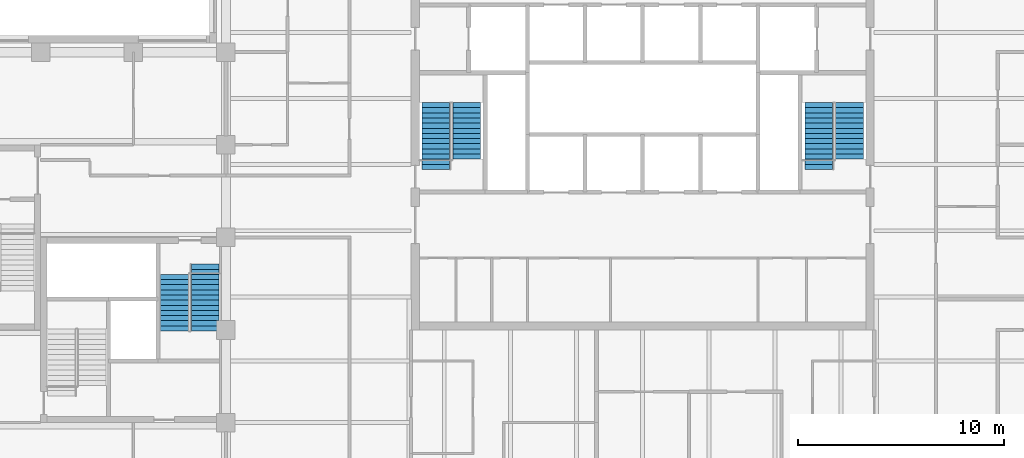
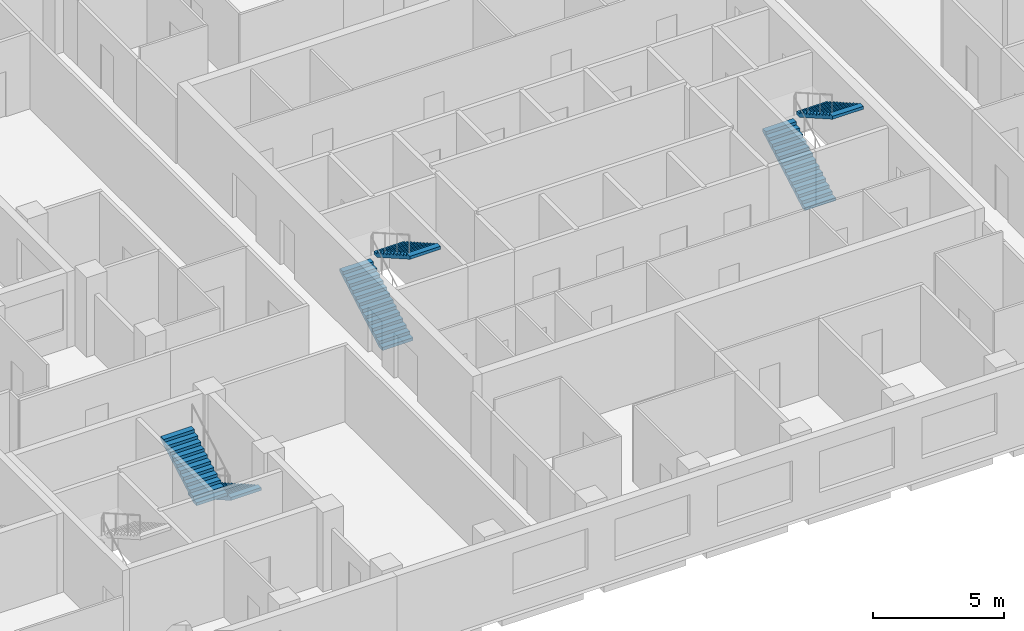
# One storey, part 9 of 10: 6 stair flights, 3 elements without a shape of their own.
"""IFC4 building model written with IfcOpenShell, lengths in metres."""

from ifc_helpers import new_model, si_unit, direction, frame, origin, place, context, subcontext, project, spatial, polyline, outline, extrude, material, type_object, element, aggregate, save


model = new_model("IFC4")

# Units and contexts
model_context = context("Model", 3, precision=1e-05, world=origin(), true_north=direction((0.0, 1.0)))
body_context = subcontext(model_context, "Body", "Model", "MODEL_VIEW")
ifc_project = project(units=[si_unit("LENGTHUNIT", "METRE"), si_unit("AREAUNIT", "SQUARE_METRE"), si_unit("VOLUMEUNIT", "CUBIC_METRE"), si_unit("PLANEANGLEUNIT", "RADIAN"), si_unit("MASSUNIT", "GRAM", prefix="KILO")], contexts=[model_context])

# Site, building, storey
site_placement = place(None, origin())
site = spatial("IfcSite", under=ifc_project, at=site_placement, CompositionType="ELEMENT")
building_placement = place(site_placement, origin())
building = spatial("IfcBuilding", under=site, at=building_placement, Name="Quoin Convention Tower", CompositionType="ELEMENT")
storey_placement = place(building_placement, frame((0.0, 0.0, 192.10009765625)))
storey = spatial("IfcBuildingStorey", under=building, at=storey_placement, Name="L50", CompositionType="ELEMENT", Elevation=192.10009765625)

# Stair, stair flights
ifc_material = material(Name="Concrete C40", Category="concrete")
stair_type = type_object("IfcStairType", Name="Exit stair two-flight 1350", PredefinedType="HALF_TURN_STAIR", material=ifc_material)
stair_1_placement = place(storey_placement, origin())
stair_1 = element("IfcStair", 1, at=stair_1_placement, inside=storey, type_object=stair_type, Name="SD1 L50", PredefinedType="HALF_TURN_STAIR")
stair_flight_type = type_object("IfcStairFlightType", Name="Stair flight 1350", PredefinedType="STRAIGHT", material=ifc_material)
stair_flight_1_placement = place(storey_placement, frame((46.199951171875, 57.300048828125, 0.0), z_axis=(0.0, 0.0, 1.0), x_axis=(0.0, 1.0, 0.0)))
stair_flight_1 = element("IfcStairFlight", 2, at=stair_flight_1_placement, type_object=stair_flight_type, Name="ST1 flight 1", NumberOfRisers=14, NumberOfTreads=13, PredefinedType="STRAIGHT", RiserHeight=0.142307692, TreadLength=0.25, context=body_context, shape_type="SweptSolid", body=[
    extrude(outline(polyline([(0.0, 0.0), (0.0, 0.142333984375), (0.25, 0.142333984375), (0.25, 0.28466796875), (0.5, 0.28466796875), (0.5, 0.427001953125), (0.75, 0.427001953125), (0.75, 0.5693359375), (1.0, 0.5693359375), (1.0, 0.71142578125), (1.25, 0.71142578125), (1.25, 0.853759765625), (1.5, 0.853759765625), (1.5, 0.99609375), (1.75, 0.99609375), (1.75, 1.138427734375), (2.0, 1.138427734375), (2.0, 1.28076171875), (2.25, 1.28076171875), (2.25, 1.423095703125), (2.5, 1.423095703125), (2.5, 1.5654296875), (2.75, 1.5654296875), (2.75, 1.707763671875), (3.0, 1.707763671875), (3.0, 1.85009765625), (3.25, 1.85009765625), (3.25, 1.9921875), (3.25, 1.711669921875), (0.242919921875, 0.0), (0.0, 0.0)])), frame((0.0, 0.675048828125, 0.0), z_axis=(0.0, -1.0, 0.0), x_axis=(1.0, 0.0, 0.0)), (0.0, 0.0, 1.0), 1.35009765625),
])
stair_flight_2_placement = place(storey_placement, frame((47.699951171875, 60.550048828125, 1.9921875), z_axis=(0.0, 0.0, 1.0), x_axis=(0.0, -1.0, 0.0)))
stair_flight_2 = element("IfcStairFlight", 3, at=stair_flight_2_placement, type_object=stair_flight_type, Name="ST1 flight 2", NumberOfRisers=12, NumberOfTreads=11, PredefinedType="STRAIGHT", RiserHeight=0.142307692, TreadLength=0.25, context=body_context, shape_type="SweptSolid", body=[
    extrude(outline(polyline([(0.0, 0.0), (0.0, 0.142333984375), (0.25, 0.142333984375), (0.25, 0.28466796875), (0.5, 0.28466796875), (0.5, 0.427001953125), (0.75, 0.427001953125), (0.75, 0.5693359375), (1.0, 0.5693359375), (1.0, 0.71142578125), (1.25, 0.71142578125), (1.25, 0.853759765625), (1.5, 0.853759765625), (1.5, 0.99609375), (1.75, 0.99609375), (1.75, 1.138427734375), (2.0, 1.138427734375), (2.0, 1.28076171875), (2.25, 1.28076171875), (2.25, 1.423095703125), (2.5, 1.423095703125), (2.5, 1.5654296875), (2.75, 1.5654296875), (2.75, 1.707763671875), (2.75, 1.42724609375), (0.242919921875, 0.0), (0.0, 0.0)])), frame((0.0, 0.675048828125, 0.0), z_axis=(0.0, -1.0, 0.0), x_axis=(1.0, 0.0, 0.0)), (0.0, 0.0, 1.0), 1.35009765625),
])
aggregate(stair_1, [stair_flight_1, stair_flight_2])

stair_2_placement = place(storey_placement, origin())
stair_2 = element("IfcStair", 4, at=stair_2_placement, inside=storey, type_object=stair_type, Name="SD2 L50", PredefinedType="HALF_TURN_STAIR")
stair_flight_3_placement = place(storey_placement, frame((64.800048828125, 57.300048828125, 0.0), z_axis=(0.0, 0.0, 1.0), x_axis=(0.0, 1.0, 0.0)))
stair_flight_3 = element("IfcStairFlight", 5, at=stair_flight_3_placement, type_object=stair_flight_type, Name="ST2 flight 1", NumberOfRisers=14, NumberOfTreads=13, PredefinedType="STRAIGHT", RiserHeight=0.142307692, TreadLength=0.25, context=body_context, shape_type="SweptSolid", body=[
    extrude(outline(polyline([(0.0, 0.0), (0.0, 0.142333984375), (0.25, 0.142333984375), (0.25, 0.28466796875), (0.5, 0.28466796875), (0.5, 0.427001953125), (0.75, 0.427001953125), (0.75, 0.5693359375), (1.0, 0.5693359375), (1.0, 0.71142578125), (1.25, 0.71142578125), (1.25, 0.853759765625), (1.5, 0.853759765625), (1.5, 0.99609375), (1.75, 0.99609375), (1.75, 1.138427734375), (2.0, 1.138427734375), (2.0, 1.28076171875), (2.25, 1.28076171875), (2.25, 1.423095703125), (2.5, 1.423095703125), (2.5, 1.5654296875), (2.75, 1.5654296875), (2.75, 1.707763671875), (3.0, 1.707763671875), (3.0, 1.85009765625), (3.25, 1.85009765625), (3.25, 1.9921875), (3.25, 1.711669921875), (0.242919921875, 0.0), (0.0, 0.0)])), frame((0.0, 0.675048828125, 0.0), z_axis=(0.0, -1.0, 0.0), x_axis=(1.0, 0.0, 0.0)), (0.0, 0.0, 1.0), 1.35009765625),
])
stair_flight_4_placement = place(storey_placement, frame((66.300048828125, 60.550048828125, 1.9921875), z_axis=(0.0, 0.0, 1.0), x_axis=(0.0, -1.0, 0.0)))
stair_flight_4 = element("IfcStairFlight", 6, at=stair_flight_4_placement, type_object=stair_flight_type, Name="ST2 flight 2", NumberOfRisers=12, NumberOfTreads=11, PredefinedType="STRAIGHT", RiserHeight=0.142307692, TreadLength=0.25, context=body_context, shape_type="SweptSolid", body=[
    extrude(outline(polyline([(0.0, 0.0), (0.0, 0.142333984375), (0.25, 0.142333984375), (0.25, 0.28466796875), (0.5, 0.28466796875), (0.5, 0.427001953125), (0.75, 0.427001953125), (0.75, 0.5693359375), (1.0, 0.5693359375), (1.0, 0.71142578125), (1.25, 0.71142578125), (1.25, 0.853759765625), (1.5, 0.853759765625), (1.5, 0.99609375), (1.75, 0.99609375), (1.75, 1.138427734375), (2.0, 1.138427734375), (2.0, 1.28076171875), (2.25, 1.28076171875), (2.25, 1.423095703125), (2.5, 1.423095703125), (2.5, 1.5654296875), (2.75, 1.5654296875), (2.75, 1.707763671875), (2.75, 1.42724609375), (0.242919921875, 0.0), (0.0, 0.0)])), frame((0.0, 0.675048828125, 0.0), z_axis=(0.0, -1.0, 0.0), x_axis=(1.0, 0.0, 0.0)), (0.0, 0.0, 1.0), 1.35009765625),
])
aggregate(stair_2, [stair_flight_3, stair_flight_4])

stair_3_placement = place(storey_placement, origin())
stair_3 = element("IfcStair", 7, at=stair_3_placement, inside=storey, type_object=stair_type, Name="SD4 L50", PredefinedType="HALF_TURN_STAIR")
stair_flight_5_placement = place(storey_placement, frame((35.0, 52.699951171875, 0.0), z_axis=(0.0, 0.0, 1.0), x_axis=(0.0, -1.0, 0.0)))
stair_flight_5 = element("IfcStairFlight", 8, at=stair_flight_5_placement, type_object=stair_flight_type, Name="ST4 flight 1", NumberOfRisers=14, NumberOfTreads=13, PredefinedType="STRAIGHT", RiserHeight=0.142307692, TreadLength=0.25, context=body_context, shape_type="SweptSolid", body=[
    extrude(outline(polyline([(0.0, 0.0), (0.0, 0.142333984375), (0.25, 0.142333984375), (0.25, 0.28466796875), (0.5, 0.28466796875), (0.5, 0.427001953125), (0.75, 0.427001953125), (0.75, 0.5693359375), (1.0, 0.5693359375), (1.0, 0.71142578125), (1.25, 0.71142578125), (1.25, 0.853759765625), (1.5, 0.853759765625), (1.5, 0.99609375), (1.75, 0.99609375), (1.75, 1.138427734375), (2.0, 1.138427734375), (2.0, 1.28076171875), (2.25, 1.28076171875), (2.25, 1.423095703125), (2.5, 1.423095703125), (2.5, 1.5654296875), (2.75, 1.5654296875), (2.75, 1.707763671875), (3.0, 1.707763671875), (3.0, 1.85009765625), (3.25, 1.85009765625), (3.25, 1.9921875), (3.25, 1.711669921875), (0.242919921875, 0.0), (0.0, 0.0)])), frame((0.0, 0.675048828125, 0.0), z_axis=(0.0, -1.0, 0.0), x_axis=(1.0, 0.0, 0.0)), (0.0, 0.0, 1.0), 1.35009765625),
])
stair_flight_6_placement = place(storey_placement, frame((33.5, 49.449951171875, 1.9921875), z_axis=(0.0, 0.0, 1.0), x_axis=(0.0, 1.0, 0.0)))
stair_flight_6 = element("IfcStairFlight", 9, at=stair_flight_6_placement, type_object=stair_flight_type, Name="ST4 flight 2", NumberOfRisers=12, NumberOfTreads=11, PredefinedType="STRAIGHT", RiserHeight=0.142307692, TreadLength=0.25, context=body_context, shape_type="SweptSolid", body=[
    extrude(outline(polyline([(0.0, 0.0), (0.0, 0.142333984375), (0.25, 0.142333984375), (0.25, 0.28466796875), (0.5, 0.28466796875), (0.5, 0.427001953125), (0.75, 0.427001953125), (0.75, 0.5693359375), (1.0, 0.5693359375), (1.0, 0.71142578125), (1.25, 0.71142578125), (1.25, 0.853759765625), (1.5, 0.853759765625), (1.5, 0.99609375), (1.75, 0.99609375), (1.75, 1.138427734375), (2.0, 1.138427734375), (2.0, 1.28076171875), (2.25, 1.28076171875), (2.25, 1.423095703125), (2.5, 1.423095703125), (2.5, 1.5654296875), (2.75, 1.5654296875), (2.75, 1.707763671875), (2.75, 1.42724609375), (0.242919921875, 0.0), (0.0, 0.0)])), frame((0.0, 0.675048828125, 0.0), z_axis=(0.0, -1.0, 0.0), x_axis=(1.0, 0.0, 0.0)), (0.0, 0.0, 1.0), 1.35009765625),
])
aggregate(stair_3, [stair_flight_5, stair_flight_6])

save(model, "model.ifc")
